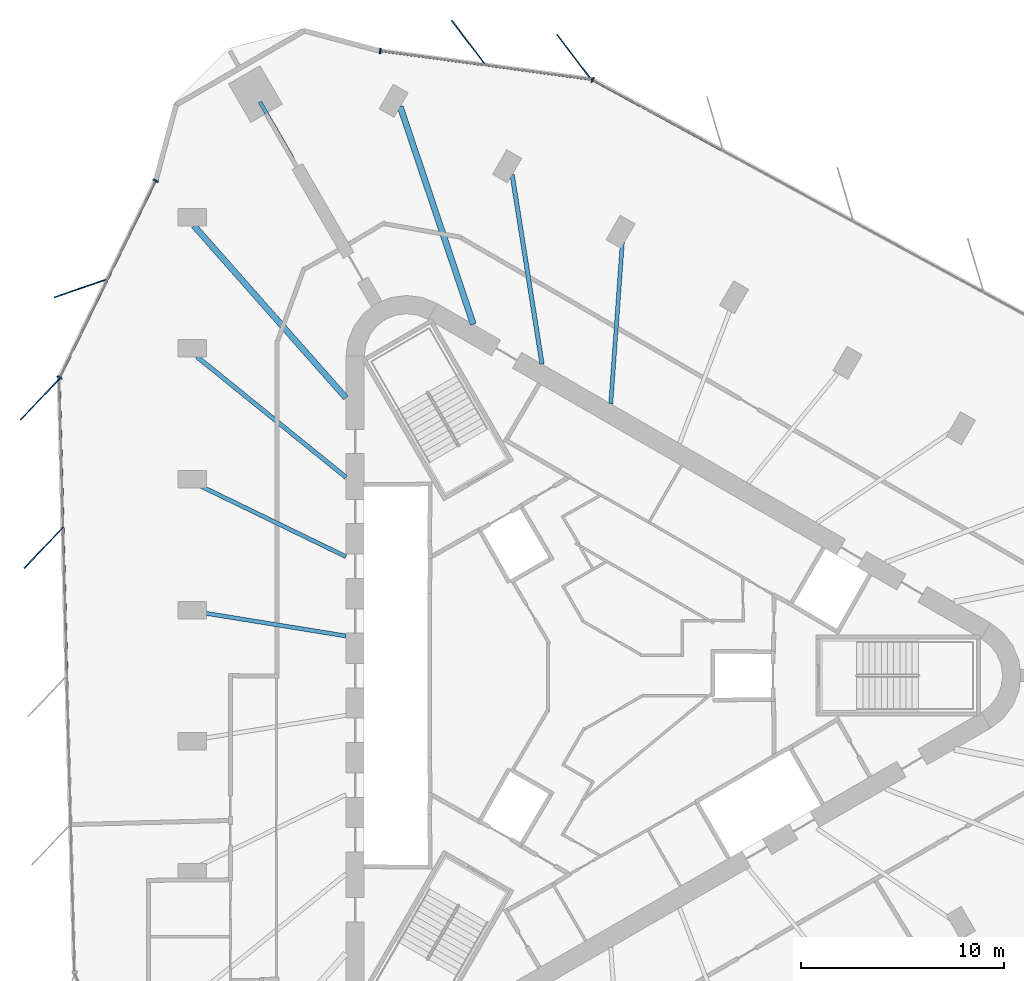
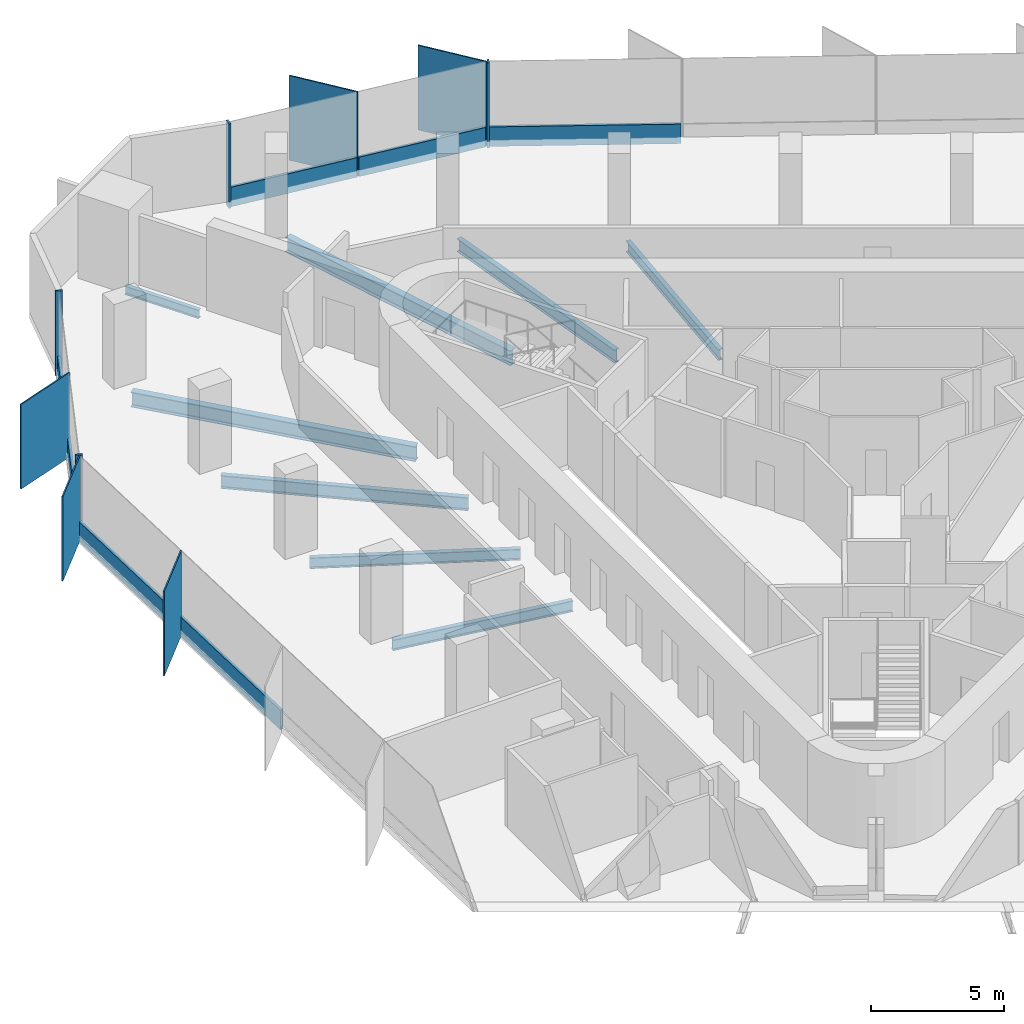
# One storey, part 4 of 12: 16 members, 8 beams, 4 elements without a shape of their own.
"""IFC4 building model written with IfcOpenShell, lengths in metres."""

from ifc_helpers import new_model, si_unit, direction, frame, origin, origin_2d, place, context, subcontext, project, spatial, rectangle, i_section, extrude, material, material_profile, profile_set, type_object, element, aggregate, save


model = new_model("IFC4")

# Units and contexts
model_context = context("Model", 3, precision=1e-05, world=origin(), true_north=direction((0.0, 1.0)))
body_context = subcontext(model_context, "Body", "Model", "MODEL_VIEW")
ifc_project = project(units=[si_unit("LENGTHUNIT", "METRE"), si_unit("AREAUNIT", "SQUARE_METRE"), si_unit("VOLUMEUNIT", "CUBIC_METRE"), si_unit("PLANEANGLEUNIT", "RADIAN"), si_unit("MASSUNIT", "GRAM", prefix="KILO")], contexts=[model_context])

# Site, building, storey
site_placement = place(None, origin())
site = spatial("IfcSite", under=ifc_project, at=site_placement, CompositionType="ELEMENT")
building_placement = place(site_placement, origin())
building = spatial("IfcBuilding", under=site, at=building_placement, Name="Tanit Gate Tower", CompositionType="ELEMENT")
storey_placement = place(building_placement, frame((0.0, 0.0, 345.5)))
storey = spatial("IfcBuildingStorey", under=building, at=storey_placement, Name="L78", CompositionType="ELEMENT", Elevation=345.5)

# Curtain wall, members
ifc_material_1 = material(Name="Aluminium bronze anodised and glass", Category="aluminium")
curtain_wall_type = type_object("IfcCurtainWallType", Name="Curtain wall typical high", PredefinedType="NOTDEFINED", material=ifc_material_1)
curtain_wall_1_placement = place(storey_placement, origin())
curtain_wall_1 = element("IfcCurtainWall", 1, at=curtain_wall_1_placement, inside=storey, type_object=curtain_wall_type, Name="Curtain wall L78 NE3", PredefinedType="NOTDEFINED")
ifc_material_2 = material(Name="Aluminium bronze anodised", Category="aluminium")
ifc_material_profile_1 = material_profile(ifc_material_2, rectangle(XDim=2.800048828125, YDim=0.055908203125, at=origin_2d()), Name="56x2800 bronze fin mullion")
ifc_profile_set_1 = profile_set([ifc_material_profile_1], Name="Aluminium bronze anodised")
member_type_1 = type_object("IfcMemberType", Name="FIN MULLION 56x2800 bronze", PredefinedType="MULLION", material=ifc_profile_set_1)
member_1_placement = place(storey_placement, frame((-0.84130859375, 30.51806640625, -0.300048828125), z_axis=(0.0, 0.0, 1.0), x_axis=(0.605901481659, -0.795539687585, 0.0)))
member_1 = element("IfcMember", 2, at=member_1_placement, type_object=member_type_1, Name="Fin mullion L78 NE3.1", PredefinedType="MULLION", context=body_context, shape_type="SweptSolid", body=[
    extrude(rectangle(XDim=2.800048828125, YDim=0.055908203125, at=origin_2d()), origin(), (0.0, 0.0, 1.0), 3.900146484375),
])
member_2_placement = place(storey_placement, frame((-6.04345703125, 31.221923828125, -0.300048828125), z_axis=(0.0, 0.0, 1.0), x_axis=(0.605901481659, -0.795539687585, 0.0)))
member_2 = element("IfcMember", 3, at=member_2_placement, type_object=member_type_1, Name="Fin mullion L78 NE3.2", PredefinedType="MULLION", context=body_context, shape_type="SweptSolid", body=[
    extrude(rectangle(XDim=2.800048828125, YDim=0.055908203125, at=origin_2d()), origin(), (0.0, 0.0, 1.0), 3.900146484375),
])

# Curtain wall, member
curtain_wall_2_placement = place(storey_placement, origin())
curtain_wall_2 = element("IfcCurtainWall", 4, at=curtain_wall_2_placement, inside=storey, type_object=curtain_wall_type, Name="Curtain wall L78 W1", PredefinedType="NOTDEFINED")
member_3_placement = place(storey_placement, frame((-25.170654296875, 19.119873046875, -0.300048828125), z_axis=(0.0, 0.0, 1.0), x_axis=(0.945536395011, 0.325516398526, 0.0)))
member_3 = element("IfcMember", 5, at=member_3_placement, type_object=member_type_1, Name="Fin mullion L78 W1.2", PredefinedType="MULLION", context=body_context, shape_type="SweptSolid", body=[
    extrude(rectangle(XDim=2.800048828125, YDim=0.055908203125, at=origin_2d()), origin(), (0.0, 0.0, 1.0), 3.900146484375),
])

# Curtain wall, members
curtain_wall_3_placement = place(storey_placement, origin())
curtain_wall_3 = element("IfcCurtainWall", 6, at=curtain_wall_3_placement, inside=storey, type_object=curtain_wall_type, Name="Curtain wall L78 W2", PredefinedType="NOTDEFINED")
member_4_placement = place(storey_placement, frame((-27.20166015625, 13.635498046875, -0.300048828125), z_axis=(0.0, 0.0, 1.0), x_axis=(0.688538110764, 0.725200158595, 0.0)))
member_4 = element("IfcMember", 7, at=member_4_placement, type_object=member_type_1, Name="Fin mullion L78 W2.1", PredefinedType="MULLION", context=body_context, shape_type="SweptSolid", body=[
    extrude(rectangle(XDim=2.800048828125, YDim=0.055908203125, at=origin_2d()), origin(), (0.0, 0.0, 1.0), 3.900146484375),
])
member_5_placement = place(storey_placement, frame((-27.01171875, 6.31689453125, -0.300048828125), z_axis=(0.0, 0.0, 1.0), x_axis=(0.688538110764, 0.725200158595, 0.0)))
member_5 = element("IfcMember", 8, at=member_5_placement, type_object=member_type_1, Name="Fin mullion L78 W2.2", PredefinedType="MULLION", context=body_context, shape_type="SweptSolid", body=[
    extrude(rectangle(XDim=2.800048828125, YDim=0.055908203125, at=origin_2d()), origin(), (0.0, 0.0, 1.0), 3.900146484375),
])

# Curtain wall, member
curtain_wall_4_placement = place(storey_placement, origin())
curtain_wall_4 = element("IfcCurtainWall", 9, at=curtain_wall_4_placement, inside=storey, type_object=curtain_wall_type, Name="Curtain wall L78 NE2", PredefinedType="NOTDEFINED")
ifc_material_3 = material(Name="Aluminium bronze anodised", Category="aluminium")
ifc_material_profile_2 = material_profile(ifc_material_3, rectangle(XDim=0.280029296875, YDim=0.080078125, at=origin_2d()), Name="80x280 bronze mullion")
ifc_profile_set_2 = profile_set([ifc_material_profile_2], Name="Aluminium bronze anodised")
member_type_2 = type_object("IfcMemberType", Name="Mullion 80x280 typical high", PredefinedType="MULLION", material=ifc_profile_set_2)
member_6_placement = place(storey_placement, frame((0.069580078125, 29.3955078125, -0.300048828125), z_axis=(0.0, 0.0, 1.0), x_axis=(-0.477381131015, -0.87869633876, 0.0)))
member_6 = element("IfcMember", 10, at=member_6_placement, type_object=member_type_2, Name="Mullion L78 NE2.5", PredefinedType="MULLION", context=body_context, shape_type="SweptSolid", body=[
    extrude(rectangle(XDim=0.280029296875, YDim=0.080078125, at=origin_2d()), origin(), (0.0, 0.0, 1.0), 3.900146484375),
])

# Member
member_7_placement = place(storey_placement, frame((-10.409423828125, 30.827880859375, -0.300048828125), z_axis=(0.0, 0.0, 1.0), x_axis=(-0.134094461382, -0.990968554207, 0.0)))
member_7 = element("IfcMember", 11, at=member_7_placement, type_object=member_type_2, Name="Mullion L78 NE3.3", PredefinedType="MULLION", context=body_context, shape_type="SweptSolid", body=[
    extrude(rectangle(XDim=0.280029296875, YDim=0.080078125, at=origin_2d()), origin(), (0.0, 0.0, 1.0), 3.900146484375),
])

member_8_placement = place(storey_placement, frame((-21.496337890625, 24.426025390625, -0.300048828125), z_axis=(0.0, 0.0, 1.0), x_axis=(0.898770049556, -0.438420343985, 0.0)))
member_8 = element("IfcMember", 12, at=member_8_placement, type_object=member_type_2, Name="Mullion L78 W1.1", PredefinedType="MULLION", context=body_context, shape_type="SweptSolid", body=[
    extrude(rectangle(XDim=0.280029296875, YDim=0.080078125, at=origin_2d()), origin(), (0.0, 0.0, 1.0), 3.900146484375),
])

member_9_placement = place(storey_placement, frame((-26.23486328125, 14.71240234375, -0.300048828125), z_axis=(0.0, 0.0, 1.0), x_axis=(0.898770049556, -0.438420343985, 0.0)))
member_9 = element("IfcMember", 13, at=member_9_placement, type_object=member_type_2, Name="Mullion L78 W1.3", PredefinedType="MULLION", context=body_context, shape_type="SweptSolid", body=[
    extrude(rectangle(XDim=0.280029296875, YDim=0.080078125, at=origin_2d()), origin(), (0.0, 0.0, 1.0), 3.900146484375),
])

# Beams
ifc_material_4 = material(Name="Steel S355", Category="steel")
ifc_material_profile_3 = material_profile(ifc_material_4, i_section(OverallWidth=0.300048828125, OverallDepth=0.68994140625, WebThickness=0.014404296875, FlangeThickness=0.027099609375, FilletRadius=0.027099609375, at=origin_2d()), Name="HEA 700")
ifc_profile_set_3 = profile_set([ifc_material_profile_3], Name="Steel S355")
beam_type_1 = type_object("IfcBeamType", Name="RADIAL GIRDER HEA 700 S355", PredefinedType="BEAM", material=ifc_profile_set_3)
for number, where, z_axis, x_axis, name in (
    (14, (-9.42333984375, 28.075439453125, -0.64501953125), (0.318204952312, -0.948021945065, 0.0), (0.948021945065, 0.318204952312, 0.0), "RADIAL GIRDER"),
    (15, (-19.602294921875, 22.198486328125, -0.64501953125), (0.661911618894, -0.749581889304, 0.0), (0.749581889304, 0.661911618894, 0.0), "RADIAL GIRDER"),
):
    element("IfcBeam", number, at=place(storey_placement, frame(where, z_axis=z_axis, x_axis=x_axis)), inside=storey, type_object=beam_type_1, Name=name, PredefinedType="BEAM", context=body_context, shape_type="SweptSolid", body=[
        extrude(i_section(OverallWidth=0.300048828125, OverallDepth=0.68994140625, WebThickness=0.014404296875, FlangeThickness=0.027099609375, FilletRadius=0.027099609375, at=origin_2d()), origin(), (0.0, 0.0, 1.0), 11.331298828125),
    ])
ifc_material_5 = material(Name="Steel S355", Category="steel")
ifc_material_profile_4 = material_profile(ifc_material_5, i_section(OverallWidth=0.179931640625, OverallDepth=0.39990234375, WebThickness=0.008544921875, FlangeThickness=0.013427734375, FilletRadius=0.02099609375, at=origin_2d()), Name="IPE 400")
ifc_profile_set_4 = profile_set([ifc_material_profile_4], Name="Steel S355")
beam_type_2 = type_object("IfcBeamType", Name="RADIAL GIRDER IPE 400 S355", PredefinedType="BEAM", material=ifc_profile_set_4)
beam_1_placement = place(storey_placement, frame((-16.343505859375, 28.30810546875, -0.5), z_axis=(0.499967746641, -0.866044024469, 0.0), x_axis=(0.866044024469, 0.499967746641, 0.0)))
element("IfcBeam", 16, at=beam_1_placement, inside=storey, type_object=beam_type_2, Name="RADIAL GIRDER", PredefinedType="BEAM", context=body_context, shape_type="SweptSolid", body=[
    extrude(i_section(OverallWidth=0.179931640625, OverallDepth=0.39990234375, WebThickness=0.008544921875, FlangeThickness=0.013427734375, FilletRadius=0.02099609375, at=origin_2d()), origin(), (0.0, 0.0, 1.0), 3.216552734375),
])
ifc_material_6 = material(Name="Steel S355", Category="steel")
ifc_material_profile_5 = material_profile(ifc_material_6, i_section(OverallWidth=0.199951171875, OverallDepth=0.5, WebThickness=0.01025390625, FlangeThickness=0.01611328125, FilletRadius=0.02099609375, at=origin_2d()), Name="IPE 500")
ifc_profile_set_5 = profile_set([ifc_material_profile_5], Name="Steel S355")
beam_type_3 = type_object("IfcBeamType", Name="RADIAL GIRDER IPE 500 S355", PredefinedType="BEAM", material=ifc_profile_set_5)
for number, where, z_axis, x_axis, name in (
    (17, (1.5361328125, 21.373046875, -0.550048828125), (-0.071686446401, -0.997427217095, 0.0), (0.997427217095, -0.071686446401, 0.0), "RADIAL GIRDER"),
    (18, (-19.277587890625, 9.356201171875, -0.550048828125), (0.899635975272, -0.43664071271, 0.0), (0.43664071271, 0.899635975272, 0.0), "RADIAL GIRDER"),
):
    element("IfcBeam", number, at=place(storey_placement, frame(where, z_axis=z_axis, x_axis=x_axis)), inside=storey, type_object=beam_type_3, Name=name, PredefinedType="BEAM", context=body_context, shape_type="SweptSolid", body=[
        extrude(i_section(OverallWidth=0.199951171875, OverallDepth=0.5, WebThickness=0.01025390625, FlangeThickness=0.01611328125, FilletRadius=0.02099609375, at=origin_2d()), origin(), (0.0, 0.0, 1.0), 7.97607421875),
    ])
beam_2_placement = place(storey_placement, frame((-19.277587890625, 3.11865234375, -0.550048828125), z_axis=(0.987164361899, -0.159707615965, 0.0), x_axis=(0.159707615965, 0.987164361899, 0.0)))
element("IfcBeam", 19, at=beam_2_placement, inside=storey, type_object=beam_type_3, Name="RADIAL GIRDER", PredefinedType="BEAM", context=body_context, shape_type="SweptSolid", body=[
    extrude(i_section(OverallWidth=0.199951171875, OverallDepth=0.5, WebThickness=0.01025390625, FlangeThickness=0.01611328125, FilletRadius=0.02099609375, at=origin_2d()), origin(), (0.0, 0.0, 1.0), 7.268798828125),
])
ifc_material_7 = material(Name="Steel S355", Category="steel")
ifc_material_profile_6 = material_profile(ifc_material_7, i_section(OverallWidth=0.219970703125, OverallDepth=0.60009765625, WebThickness=0.011962890625, FlangeThickness=0.01904296875, FilletRadius=0.02392578125, at=origin_2d()), Name="IPE 600")
ifc_profile_set_6 = profile_set([ifc_material_profile_6], Name="Steel S355")
beam_type_4 = type_object("IfcBeamType", Name="RADIAL GIRDER IPE 600 S355", PredefinedType="BEAM", material=ifc_profile_set_6)
for number, where, z_axis, x_axis, name in (
    (20, (-3.900390625, 24.713623046875, -0.60009765625), (0.155875049661, -0.987776780904, 0.0), (0.987776780904, 0.155875049661, 0.0), "RADIAL GIRDER"),
    (21, (-19.452392578125, 15.734619140625, -0.60009765625), (0.777488974624, -0.628896568872, 0.0), (0.628896568872, 0.777488974624, 0.0), "RADIAL GIRDER"),
):
    element("IfcBeam", number, at=place(storey_placement, frame(where, z_axis=z_axis, x_axis=x_axis)), inside=storey, type_object=beam_type_4, Name=name, PredefinedType="BEAM", context=body_context, shape_type="SweptSolid", body=[
        extrude(i_section(OverallWidth=0.219970703125, OverallDepth=0.60009765625, WebThickness=0.011962890625, FlangeThickness=0.01904296875, FilletRadius=0.02392578125, at=origin_2d()), origin(), (0.0, 0.0, 1.0), 9.453857421875),
    ])

# Member
ifc_material_8 = material(Name="Aluminium bronze anodised", Category="aluminium")
ifc_material_profile_7 = material_profile(ifc_material_8, rectangle(XDim=0.1201171875, YDim=0.89990234375, at=origin_2d()), Name="120x900 bronze transom")
ifc_profile_set_7 = profile_set([ifc_material_profile_7], Name="Aluminium bronze anodised")
member_type_3 = type_object("IfcMemberType", Name="Transom 120x900 typical high", PredefinedType="USERDEFINED", material=ifc_profile_set_7)
member_10_placement = place(storey_placement, frame((6.46728515625, 25.919677734375, 0.14990234375), z_axis=(-0.878689388466, 0.477393923921, 0.0), x_axis=(-0.477393923921, -0.878689388466, 0.0)))
member_10 = element("IfcMember", 22, at=member_10_placement, type_object=member_type_3, Name="Transom L78 NE2.4", ObjectType="TRANSOM", PredefinedType="USERDEFINED", context=body_context, shape_type="SweptSolid", body=[
    extrude(rectangle(XDim=0.1201171875, YDim=0.89990234375, at=origin_2d()), origin(), (0.0, 0.0, 1.0), 7.240966796875),
])

aggregate(curtain_wall_4, [member_6, member_10])

member_11_placement = place(storey_placement, frame((-0.044677734375, 29.42529296875, 0.14990234375), z_axis=(-0.990965308364, 0.134118446233, 0.0), x_axis=(-0.134118446233, -0.990965308364, 0.0)))
member_11 = element("IfcMember", 23, at=member_11_placement, type_object=member_type_3, Name="Transom L78 NE3.1", ObjectType="TRANSOM", PredefinedType="USERDEFINED", context=body_context, shape_type="SweptSolid", body=[
    extrude(rectangle(XDim=0.1201171875, YDim=0.89990234375, at=origin_2d()), origin(), (0.0, 0.0, 1.0), 5.169677734375),
])

member_12_placement = place(storey_placement, frame((-5.246826171875, 30.12939453125, 0.14990234375), z_axis=(-0.990971583812, 0.134072070456, 0.0), x_axis=(-0.134072070456, -0.990971583812, 0.0)))
member_12 = element("IfcMember", 24, at=member_12_placement, type_object=member_type_3, Name="Transom L78 NE3.2", ObjectType="TRANSOM", PredefinedType="USERDEFINED", context=body_context, shape_type="SweptSolid", body=[
    extrude(rectangle(XDim=0.1201171875, YDim=0.89990234375, at=origin_2d()), origin(), (0.0, 0.0, 1.0), 5.169677734375),
])

aggregate(curtain_wall_1, [member_1, member_2, member_7, member_11, member_12])

member_13_placement = place(storey_placement, frame((-21.513916015625, 24.39013671875, 0.14990234375), z_axis=(-0.43844260512, -0.898759190226, 0.0), x_axis=(0.898759190226, -0.43844260512, 0.0)))
member_13 = element("IfcMember", 25, at=member_13_placement, type_object=member_type_3, Name="Transom L78 W1.1", ObjectType="TRANSOM", PredefinedType="USERDEFINED", context=body_context, shape_type="SweptSolid", body=[
    extrude(rectangle(XDim=0.1201171875, YDim=0.89990234375, at=origin_2d()), origin(), (0.0, 0.0, 1.0), 5.323974609375),
])

member_14_placement = place(storey_placement, frame((-23.883056640625, 19.533203125, 0.14990234375), z_axis=(-0.43844260512, -0.898759190226, 0.0), x_axis=(0.898759190226, -0.43844260512, 0.0)))
member_14 = element("IfcMember", 26, at=member_14_placement, type_object=member_type_3, Name="Transom L78 W1.2", ObjectType="TRANSOM", PredefinedType="USERDEFINED", context=body_context, shape_type="SweptSolid", body=[
    extrude(rectangle(XDim=0.1201171875, YDim=0.89990234375, at=origin_2d()), origin(), (0.0, 0.0, 1.0), 5.323974609375),
])

aggregate(curtain_wall_2, [member_8, member_3, member_9, member_13, member_14])

member_15_placement = place(storey_placement, frame((-26.250244140625, 14.596435546875, 0.14990234375), z_axis=(0.025928074156, -0.999663810974, 0.0), x_axis=(0.999663810974, 0.025928074156, 0.0)))
member_15 = element("IfcMember", 27, at=member_15_placement, type_object=member_type_3, Name="Transom L78 W2.1", ObjectType="TRANSOM", PredefinedType="USERDEFINED", context=body_context, shape_type="SweptSolid", body=[
    extrude(rectangle(XDim=0.1201171875, YDim=0.89990234375, at=origin_2d()), origin(), (0.0, 0.0, 1.0), 7.240966796875),
])

member_16_placement = place(storey_placement, frame((-26.060546875, 7.27783203125, 0.14990234375), z_axis=(0.025928948098, -0.999663788306, 0.0), x_axis=(0.999663788306, 0.025928948098, 0.0)))
member_16 = element("IfcMember", 28, at=member_16_placement, type_object=member_type_3, Name="Transom L78 W2.2", ObjectType="TRANSOM", PredefinedType="USERDEFINED", context=body_context, shape_type="SweptSolid", body=[
    extrude(rectangle(XDim=0.1201171875, YDim=0.89990234375, at=origin_2d()), origin(), (0.0, 0.0, 1.0), 7.24072265625),
])

aggregate(curtain_wall_3, [member_4, member_5, member_15, member_16])

save(model, "model.ifc")
